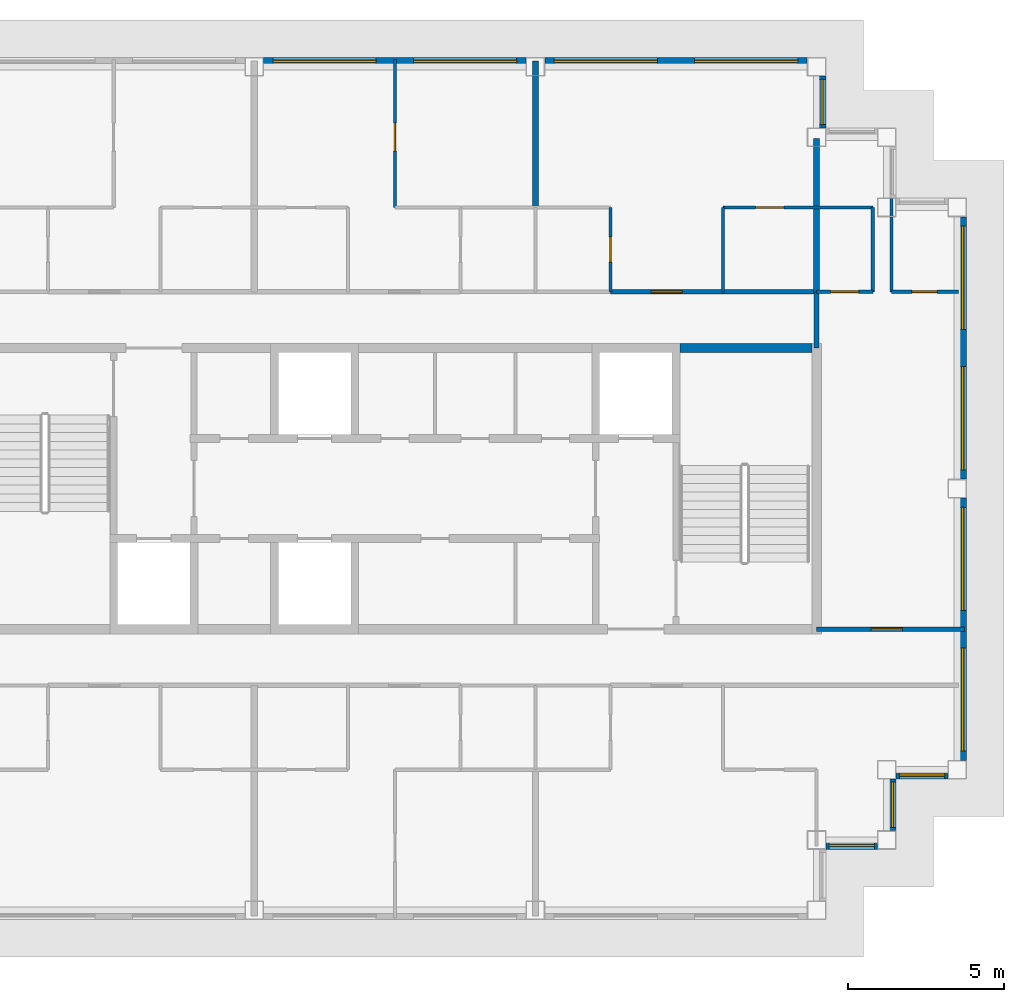
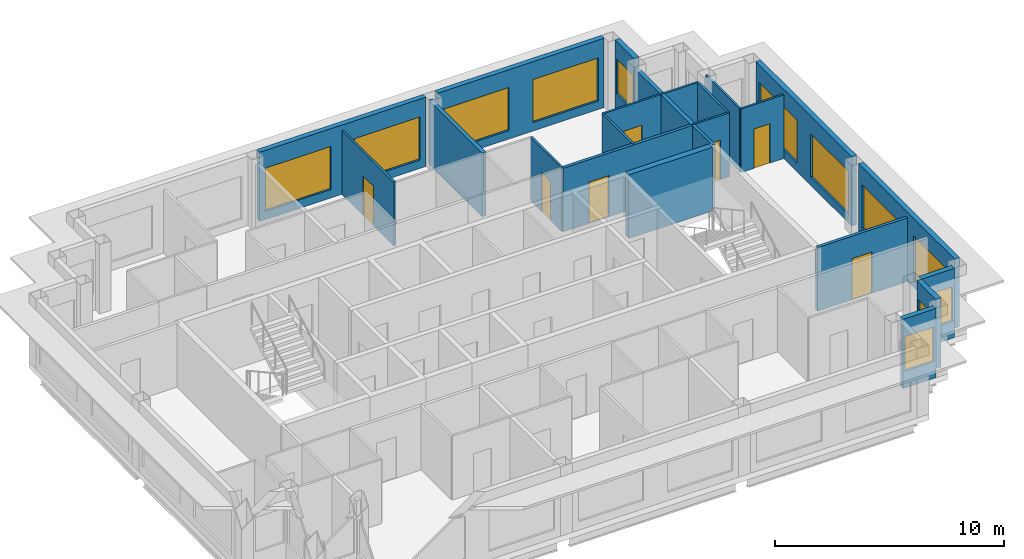
# One storey, part 5 of 11: 22 walls, 12 windows, 7 doors, 19 openings.
"""IFC4 building model written with IfcOpenShell, lengths in metres."""

from ifc_helpers import new_model, si_unit, direction, frame, frame_2d, origin, place, context, subcontext, project, spatial, rectangle, extrude, material, layer, layer_set, type_object, element, fill, save


model = new_model("IFC4")

# Units and contexts
model_context = context("Model", 3, precision=1e-05, world=origin(), true_north=direction((0.0, 1.0)))
body_context = subcontext(model_context, "Body", "Model", "MODEL_VIEW")
ifc_project = project(units=[si_unit("LENGTHUNIT", "METRE"), si_unit("AREAUNIT", "SQUARE_METRE"), si_unit("VOLUMEUNIT", "CUBIC_METRE"), si_unit("PLANEANGLEUNIT", "RADIAN"), si_unit("MASSUNIT", "GRAM", prefix="KILO")], contexts=[model_context])

# Site, building, storey
site_placement = place(None, origin())
site = spatial("IfcSite", under=ifc_project, at=site_placement, CompositionType="ELEMENT")
building_placement = place(site_placement, origin())
building = spatial("IfcBuilding", under=site, at=building_placement, Name="Caravel Reach Hotel and Residences", CompositionType="ELEMENT")
storey_placement = place(building_placement, frame((0.0, 0.0, 298.199951171875)))
storey = spatial("IfcBuildingStorey", under=building, at=storey_placement, Name="L76", CompositionType="ELEMENT", Elevation=298.199951171875)

# Wall, opening, door
ifc_material_1 = material(Name="Gypsum board on steel stud", Category="steel")
ifc_layer_1 = layer(ifc_material_1, 0.10009765625)
ifc_layer_set_1 = layer_set([ifc_layer_1], Name="Bathroom pod wall 100 mm")
wall_type_1 = type_object("IfcWallType", Name="Bathroom pod wall 100 mm", PredefinedType="PARTITIONING", material=ifc_layer_set_1)
wall_1_placement = place(storey_placement, frame((47.39990234375, 33.300048828125, 0.0), z_axis=(0.0, 0.0, 1.0), x_axis=(1.0, 0.0, 0.0)))
wall_1 = element("IfcWall", 1, at=wall_1_placement, inside=storey, type_object=wall_type_1, Name="L76 wall w063", PredefinedType="PARTITIONING", context=body_context, shape_type="SweptSolid", body=[
    extrude(rectangle(XDim=2.150146484375, YDim=0.10009765625, at=frame_2d((1.0751953125, 0.0))), origin(), (0.0, 0.0, 1.0), 3.400146484375),
])
opening_1_placement = place(wall_1_placement, frame((0.64990234375, 0.0, 0.0)))
opening_1 = element("IfcOpeningElement", 2, at=opening_1_placement, cuts=wall_1, Name="Opening D76-043", PredefinedType="OPENING", context=body_context, shape_type="SweptSolid", body=[
    extrude(rectangle(XDim=0.800048828125, YDim=2.10009765625, at=frame_2d((0.39990234375, 1.050048828125))), frame((0.0, 0.06005859375, 0.0), z_axis=(0.0, -1.0, 0.0), x_axis=(1.0, 0.0, 0.0)), (0.0, 0.0, 1.0), 0.1201171875),
])
ifc_material_2 = material(Name="Timber and steel door leaf", Category="steel")
door_type_1 = type_object("IfcDoorType", Name="Bathroom door 800 x 2100", OperationType="SINGLE_SWING_LEFT", PredefinedType="DOOR", material=ifc_material_2)
door_1_placement = place(opening_1_placement, origin())
door_1 = element("IfcDoor", 3, at=door_1_placement, inside=storey, type_object=door_type_1, Name="door D76-043", OperationType="SINGLE_SWING_LEFT", OverallHeight=2.10009765625, OverallWidth=0.800048828125, PredefinedType="DOOR", context=body_context, shape_type="SweptSolid", body=[
    extrude(rectangle(XDim=0.800048828125, YDim=2.10009765625, at=frame_2d((0.39990234375, 1.050048828125))), frame((0.0, 0.02490234375, 0.0), z_axis=(0.0, -1.0, 0.0), x_axis=(1.0, 0.0, 0.0)), (0.0, 0.0, 1.0), 0.050048828125),
])
fill(opening_1, door_1)

wall_2_placement = place(storey_placement, frame((38.39990234375, 33.300048828125, 0.0), z_axis=(0.0, 0.0, 1.0), x_axis=(0.0, 1.0, 0.0)))
wall_2 = element("IfcWall", 4, at=wall_2_placement, inside=storey, type_object=wall_type_1, Name="L76 wall w076", PredefinedType="PARTITIONING", context=body_context, shape_type="SweptSolid", body=[
    extrude(rectangle(XDim=2.699951171875, YDim=0.10009765625, at=frame_2d((1.35009765625, 0.0))), origin(), (0.0, 0.0, 1.0), 3.400146484375),
])
opening_2_placement = place(wall_2_placement, frame((0.949951171875, 0.0, 0.0)))
opening_2 = element("IfcOpeningElement", 5, at=opening_2_placement, cuts=wall_2, Name="Opening D76-027", PredefinedType="OPENING", context=body_context, shape_type="SweptSolid", body=[
    extrude(rectangle(XDim=0.800048828125, YDim=2.10009765625, at=frame_2d((0.39990234375, 1.050048828125))), frame((0.0, 0.06005859375, 0.0), z_axis=(0.0, -1.0, 0.0), x_axis=(1.0, 0.0, 0.0)), (0.0, 0.0, 1.0), 0.1201171875),
])
door_2_placement = place(opening_2_placement, origin())
door_2 = element("IfcDoor", 6, at=door_2_placement, inside=storey, type_object=door_type_1, Name="door D76-027", OperationType="SINGLE_SWING_LEFT", OverallHeight=2.10009765625, OverallWidth=0.800048828125, PredefinedType="DOOR", context=body_context, shape_type="SweptSolid", body=[
    extrude(rectangle(XDim=0.800048828125, YDim=2.10009765625, at=frame_2d((0.39990234375, 1.050048828125))), frame((0.0, 0.02490234375, 0.0), z_axis=(0.0, -1.0, 0.0), x_axis=(1.0, 0.0, 0.0)), (0.0, 0.0, 1.0), 0.050048828125),
])
fill(opening_2, door_2)

# Walls
wall_3_placement = place(storey_placement, frame((47.39990234375, 33.300048828125, 0.0), z_axis=(0.0, 0.0, 1.0), x_axis=(0.0, 1.0, 0.0)))
element("IfcWall", 7, at=wall_3_placement, inside=storey, type_object=wall_type_1, Name="L76 wall w078", PredefinedType="PARTITIONING", context=body_context, shape_type="SweptSolid", body=[
    extrude(rectangle(XDim=3.0, YDim=0.10009765625, at=frame_2d((1.5, 0.0))), origin(), (0.0, 0.0, 1.0), 3.400146484375),
])
ifc_material_3 = material(Name="Concrete C60", Category="concrete")
ifc_layer_2 = layer(ifc_material_3, 0.300048828125)
ifc_layer_set_2 = layer_set([ifc_layer_2], Name="Core wall 300 mm EI 120")
wall_type_2 = type_object("IfcWallType", Name="Core wall 300 mm EI 120", PredefinedType="SHEAR", material=ifc_layer_set_2)
wall_4_placement = place(storey_placement, frame((40.625, 31.5, 0.0), z_axis=(0.0, 0.0, 1.0), x_axis=(1.0, 0.0, 0.0)))
element("IfcWall", 8, at=wall_4_placement, inside=storey, type_object=wall_type_2, Name="L76 core wall N3", PredefinedType="SHEAR", context=body_context, shape_type="SweptSolid", body=[
    extrude(rectangle(XDim=4.22509765625, YDim=0.300048828125, at=frame_2d((2.112548828125, 0.0))), origin(), (0.0, 0.0, 1.0), 3.400146484375),
])

# Wall, opening, door
ifc_material_4 = material(Name="Gypsum board on steel stud, fire-rated", Category="steel")
ifc_layer_3 = layer(ifc_material_4, 0.14990234375)
ifc_layer_set_3 = layer_set([ifc_layer_3], Name="Corridor wall 150 mm EI 60")
wall_type_3 = type_object("IfcWallType", Name="Corridor wall 150 mm EI 60", PredefinedType="PARTITIONING", material=ifc_layer_set_3)
wall_5_placement = place(storey_placement, frame((45.0, 22.5, 0.0), z_axis=(0.0, 0.0, 1.0), x_axis=(1.0, 0.0, 0.0)))
wall_5 = element("IfcWall", 9, at=wall_5_placement, inside=storey, type_object=wall_type_3, Name="L76 wall w008", PredefinedType="PARTITIONING", context=body_context, shape_type="SweptSolid", body=[
    extrude(rectangle(XDim=4.739990234375, YDim=0.14990234375, at=frame_2d((2.3701171875, 0.0))), origin(), (0.0, 0.0, 1.0), 3.400146484375),
])
opening_3_placement = place(wall_5_placement, frame((1.75, 0.0, 0.0)))
opening_3 = element("IfcOpeningElement", 10, at=opening_3_placement, cuts=wall_5, Name="Opening D76-042", PredefinedType="OPENING", context=body_context, shape_type="SweptSolid", body=[
    extrude(rectangle(XDim=1.0, YDim=2.199951171875, at=frame_2d((0.5, 1.10009765625))), frame((0.0, 0.0849609375, 0.0), z_axis=(0.0, -1.0, 0.0), x_axis=(1.0, 0.0, 0.0)), (0.0, 0.0, 1.0), 0.169921875),
])
ifc_material_5 = material(Name="Steel fire door leaf", Category="steel")
door_type_2 = type_object("IfcDoorType", Name="Flat entrance door 1000 x 2200 EI 60", OperationType="SINGLE_SWING_LEFT", PredefinedType="DOOR", material=ifc_material_5)
door_3_placement = place(opening_3_placement, origin())
door_3 = element("IfcDoor", 11, at=door_3_placement, inside=storey, type_object=door_type_2, Name="door D76-042", OperationType="SINGLE_SWING_RIGHT", OverallHeight=2.199951171875, OverallWidth=1.0, PredefinedType="DOOR", context=body_context, shape_type="SweptSolid", body=[
    extrude(rectangle(XDim=1.0, YDim=2.199951171875, at=frame_2d((0.5, 1.10009765625))), frame((0.0, 0.02490234375, 0.0), z_axis=(0.0, -1.0, 0.0), x_axis=(1.0, 0.0, 0.0)), (0.0, 0.0, 1.0), 0.050048828125),
])
fill(opening_3, door_3)

wall_6_placement = place(storey_placement, frame((38.39990234375, 33.300048828125, 0.0), z_axis=(0.0, 0.0, 1.0), x_axis=(1.0, 0.0, 0.0)))
wall_6 = element("IfcWall", 12, at=wall_6_placement, inside=storey, type_object=wall_type_3, Name="L76 wall w015", PredefinedType="PARTITIONING", context=body_context, shape_type="SweptSolid", body=[
    extrude(rectangle(XDim=6.60009765625, YDim=0.14990234375, at=frame_2d((3.300048828125, 0.0))), origin(), (0.0, 0.0, 1.0), 3.400146484375),
])
opening_4_placement = place(wall_6_placement, frame((1.300048828125, 0.0, 0.0)))
opening_4 = element("IfcOpeningElement", 13, at=opening_4_placement, cuts=wall_6, Name="Opening D76-026", PredefinedType="OPENING", context=body_context, shape_type="SweptSolid", body=[
    extrude(rectangle(XDim=1.0, YDim=2.199951171875, at=frame_2d((0.5, 1.10009765625))), frame((0.0, 0.0849609375, 0.0), z_axis=(0.0, -1.0, 0.0), x_axis=(1.0, 0.0, 0.0)), (0.0, 0.0, 1.0), 0.169921875),
])
door_4_placement = place(opening_4_placement, origin())
door_4 = element("IfcDoor", 14, at=door_4_placement, inside=storey, type_object=door_type_2, Name="door D76-026", OperationType="SINGLE_SWING_RIGHT", OverallHeight=2.199951171875, OverallWidth=1.0, PredefinedType="DOOR", context=body_context, shape_type="SweptSolid", body=[
    extrude(rectangle(XDim=1.0, YDim=2.199951171875, at=frame_2d((0.5, 1.10009765625))), frame((0.0, 0.02490234375, 0.0), z_axis=(0.0, -1.0, 0.0), x_axis=(1.0, 0.0, 0.0)), (0.0, 0.0, 1.0), 0.050048828125),
])
fill(opening_4, door_4)

# Wall
wall_7_placement = place(storey_placement, frame((45.0, 31.5, 0.0), z_axis=(0.0, 0.0, 1.0), x_axis=(0.0, 1.0, 0.0)))
element("IfcWall", 15, at=wall_7_placement, inside=storey, type_object=wall_type_3, Name="L76 wall w018", PredefinedType="PARTITIONING", context=body_context, shape_type="SweptSolid", body=[
    extrude(rectangle(XDim=1.800048828125, YDim=0.14990234375, at=frame_2d((0.89990234375, 0.0))), origin(), (0.0, 0.0, 1.0), 3.400146484375),
])

# Wall, opening, window
ifc_material_6 = material(Name="Insulated rainscreen wall, aluminium cladding", Category="aluminium")
ifc_layer_4 = layer(ifc_material_6, 0.25)
ifc_layer_set_4 = layer_set([ifc_layer_4], Name="EW1 Tower rainscreen wall")
wall_type_4 = type_object("IfcWallType", Name="EW1 Tower rainscreen wall", PredefinedType="SOLIDWALL", material=ifc_layer_set_4)
wall_8_placement = place(storey_placement, frame((45.300048828125, 15.574951171875, 0.0), z_axis=(0.0, 0.0, 1.0), x_axis=(1.0, 0.0, 0.0)))
wall_8 = element("IfcWall", 16, at=wall_8_placement, inside=storey, type_object=wall_type_4, Name="External wall L76 S2.1", PredefinedType="SOLIDWALL", context=body_context, shape_type="SweptSolid", body=[
    extrude(rectangle(XDim=1.64990234375, YDim=0.25, at=frame_2d((0.824951171875, 0.0))), origin(), (0.0, 0.0, 1.0), 3.699951171875),
])
opening_5_placement = place(wall_8_placement, frame((0.10009765625, 0.0, 0.89990234375)))
opening_5 = element("IfcOpeningElement", 17, at=opening_5_placement, cuts=wall_8, Name="Opening WN25", PredefinedType="OPENING", context=body_context, shape_type="SweptSolid", body=[
    extrude(rectangle(XDim=1.449951171875, YDim=1.85009765625, at=frame_2d((0.72509765625, 0.925048828125))), frame((0.0, 0.135009765625, 0.0), z_axis=(0.0, -1.0, 0.0), x_axis=(1.0, 0.0, 0.0)), (0.0, 0.0, 1.0), 0.27001953125),
])
ifc_material_7 = material(Name="Dark low-e glazing in black aluminium frame", Category="aluminium")
window_type_1 = type_object("IfcWindowType", Name="Residence bedroom window 1450 x 1850", PartitioningType="SINGLE_PANEL", PredefinedType="WINDOW", material=ifc_material_7)
window_1_placement = place(opening_5_placement, origin())
window_1 = element("IfcWindow", 18, at=window_1_placement, inside=storey, type_object=window_type_1, Name="Window L76 S2.1.1", OverallHeight=1.85009765625, OverallWidth=1.449951171875, PartitioningType="SINGLE_PANEL", PredefinedType="WINDOW", context=body_context, shape_type="SweptSolid", body=[
    extrude(rectangle(XDim=1.449951171875, YDim=1.85009765625, at=frame_2d((0.72509765625, 0.925048828125))), frame((0.0, 0.030029296875, 0.0), z_axis=(0.0, -1.0, 0.0), x_axis=(1.0, 0.0, 0.0)), (0.0, 0.0, 1.0), 0.06005859375),
])
fill(opening_5, window_1)

wall_9_placement = place(storey_placement, frame((47.425048828125, 16.050048828125, 0.0), z_axis=(0.0, 0.0, 1.0), x_axis=(0.0, 1.0, 0.0)))
wall_9 = element("IfcWall", 19, at=wall_9_placement, inside=storey, type_object=wall_type_4, Name="External wall L76 E3.1", PredefinedType="SOLIDWALL", context=body_context, shape_type="SweptSolid", body=[
    extrude(rectangle(XDim=1.64990234375, YDim=0.25, at=frame_2d((0.824951171875, 0.0))), origin(), (0.0, 0.0, 1.0), 3.699951171875),
])
opening_6_placement = place(wall_9_placement, frame((0.10009765625, 0.0, 0.89990234375)))
opening_6 = element("IfcOpeningElement", 20, at=opening_6_placement, cuts=wall_9, Name="Opening WN25", PredefinedType="OPENING", context=body_context, shape_type="SweptSolid", body=[
    extrude(rectangle(XDim=1.449951171875, YDim=1.85009765625, at=frame_2d((0.72509765625, 0.925048828125))), frame((0.0, 0.135009765625, 0.0), z_axis=(0.0, -1.0, 0.0), x_axis=(1.0, 0.0, 0.0)), (0.0, 0.0, 1.0), 0.27001953125),
])
window_2_placement = place(opening_6_placement, origin())
window_2 = element("IfcWindow", 21, at=window_2_placement, inside=storey, type_object=window_type_1, Name="Window L76 E3.1.1", OverallHeight=1.85009765625, OverallWidth=1.449951171875, PartitioningType="SINGLE_PANEL", PredefinedType="WINDOW", context=body_context, shape_type="SweptSolid", body=[
    extrude(rectangle(XDim=1.449951171875, YDim=1.85009765625, at=frame_2d((0.72509765625, 0.925048828125))), frame((0.0, 0.030029296875, 0.0), z_axis=(0.0, -1.0, 0.0), x_axis=(1.0, 0.0, 0.0)), (0.0, 0.0, 1.0), 0.06005859375),
])
fill(opening_6, window_2)

wall_10_placement = place(storey_placement, frame((47.550048828125, 17.824951171875, 0.0), z_axis=(0.0, 0.0, 1.0), x_axis=(1.0, 0.0, 0.0)))
wall_10 = element("IfcWall", 22, at=wall_10_placement, inside=storey, type_object=wall_type_4, Name="External wall L76 S4.1", PredefinedType="SOLIDWALL", context=body_context, shape_type="SweptSolid", body=[
    extrude(rectangle(XDim=1.64990234375, YDim=0.25, at=frame_2d((0.824951171875, 0.0))), origin(), (0.0, 0.0, 1.0), 3.699951171875),
])
opening_7_placement = place(wall_10_placement, frame((0.10009765625, 0.0, 0.89990234375)))
opening_7 = element("IfcOpeningElement", 23, at=opening_7_placement, cuts=wall_10, Name="Opening WN25", PredefinedType="OPENING", context=body_context, shape_type="SweptSolid", body=[
    extrude(rectangle(XDim=1.449951171875, YDim=1.85009765625, at=frame_2d((0.72509765625, 0.925048828125))), frame((0.0, 0.135009765625, 0.0), z_axis=(0.0, -1.0, 0.0), x_axis=(1.0, 0.0, 0.0)), (0.0, 0.0, 1.0), 0.27001953125),
])
window_3_placement = place(opening_7_placement, origin())
window_3 = element("IfcWindow", 24, at=window_3_placement, inside=storey, type_object=window_type_1, Name="Window L76 S4.1.1", OverallHeight=1.85009765625, OverallWidth=1.449951171875, PartitioningType="SINGLE_PANEL", PredefinedType="WINDOW", context=body_context, shape_type="SweptSolid", body=[
    extrude(rectangle(XDim=1.449951171875, YDim=1.85009765625, at=frame_2d((0.72509765625, 0.925048828125))), frame((0.0, 0.030029296875, 0.0), z_axis=(0.0, -1.0, 0.0), x_axis=(1.0, 0.0, 0.0)), (0.0, 0.0, 1.0), 0.06005859375),
])
fill(opening_7, window_3)

# Wall, openings, windows
wall_11_placement = place(storey_placement, frame((49.675048828125, 18.300048828125, 0.0), z_axis=(0.0, 0.0, 1.0), x_axis=(0.0, 1.0, 0.0)))
wall_11 = element("IfcWall", 25, at=wall_11_placement, inside=storey, type_object=wall_type_4, Name="External wall L76 E5.1", PredefinedType="SOLIDWALL", context=body_context, shape_type="SweptSolid", body=[
    extrude(rectangle(XDim=8.39990234375, YDim=0.25, at=frame_2d((4.199951171875, 0.0))), origin(), (0.0, 0.0, 1.0), 3.699951171875),
])
opening_8_placement = place(wall_11_placement, frame((0.300048828125, 0.0, 0.449951171875)))
opening_8 = element("IfcOpeningElement", 26, at=opening_8_placement, cuts=wall_11, Name="Opening WN15", PredefinedType="OPENING", context=body_context, shape_type="SweptSolid", body=[
    extrude(rectangle(XDim=3.300048828125, YDim=2.300048828125, at=frame_2d((1.64990234375, 1.14990234375))), frame((0.0, 0.135009765625, 0.0), z_axis=(0.0, -1.0, 0.0), x_axis=(1.0, 0.0, 0.0)), (0.0, 0.0, 1.0), 0.27001953125),
])
opening_9_placement = place(wall_11_placement, frame((4.800048828125, 0.0, 0.449951171875)))
opening_9 = element("IfcOpeningElement", 27, at=opening_9_placement, cuts=wall_11, Name="Opening WN15", PredefinedType="OPENING", context=body_context, shape_type="SweptSolid", body=[
    extrude(rectangle(XDim=3.300048828125, YDim=2.300048828125, at=frame_2d((1.64990234375, 1.14990234375))), frame((0.0, 0.135009765625, 0.0), z_axis=(0.0, -1.0, 0.0), x_axis=(1.0, 0.0, 0.0)), (0.0, 0.0, 1.0), 0.27001953125),
])
ifc_material_8 = material(Name="Dark low-e glazing in black aluminium frame", Category="aluminium")
window_type_2 = type_object("IfcWindowType", Name="Residence living window 3300 x 2300", PartitioningType="SINGLE_PANEL", PredefinedType="WINDOW", material=ifc_material_8)
window_4_placement = place(opening_8_placement, origin())
window_4 = element("IfcWindow", 28, at=window_4_placement, inside=storey, type_object=window_type_2, Name="Window L76 E5.1.1", OverallHeight=2.300048828125, OverallWidth=3.300048828125, PartitioningType="SINGLE_PANEL", PredefinedType="WINDOW", context=body_context, shape_type="SweptSolid", body=[
    extrude(rectangle(XDim=3.300048828125, YDim=2.300048828125, at=frame_2d((1.64990234375, 1.14990234375))), frame((0.0, 0.030029296875, 0.0), z_axis=(0.0, -1.0, 0.0), x_axis=(1.0, 0.0, 0.0)), (0.0, 0.0, 1.0), 0.06005859375),
])
fill(opening_8, window_4)
window_5_placement = place(opening_9_placement, origin())
window_5 = element("IfcWindow", 29, at=window_5_placement, inside=storey, type_object=window_type_2, Name="Window L76 E5.1.2", OverallHeight=2.300048828125, OverallWidth=3.300048828125, PartitioningType="SINGLE_PANEL", PredefinedType="WINDOW", context=body_context, shape_type="SweptSolid", body=[
    extrude(rectangle(XDim=3.300048828125, YDim=2.300048828125, at=frame_2d((1.64990234375, 1.14990234375))), frame((0.0, 0.030029296875, 0.0), z_axis=(0.0, -1.0, 0.0), x_axis=(1.0, 0.0, 0.0)), (0.0, 0.0, 1.0), 0.06005859375),
])
fill(opening_9, window_5)

wall_12_placement = place(storey_placement, frame((49.675048828125, 27.300048828125, 0.0), z_axis=(0.0, 0.0, 1.0), x_axis=(0.0, 1.0, 0.0)))
wall_12 = element("IfcWall", 30, at=wall_12_placement, inside=storey, type_object=wall_type_4, Name="External wall L76 E5.2", PredefinedType="SOLIDWALL", context=body_context, shape_type="SweptSolid", body=[
    extrude(rectangle(XDim=8.39990234375, YDim=0.25, at=frame_2d((4.199951171875, 0.0))), origin(), (0.0, 0.0, 1.0), 3.699951171875),
])
opening_10_placement = place(wall_12_placement, frame((0.300048828125, 0.0, 0.449951171875)))
opening_10 = element("IfcOpeningElement", 31, at=opening_10_placement, cuts=wall_12, Name="Opening WN15", PredefinedType="OPENING", context=body_context, shape_type="SweptSolid", body=[
    extrude(rectangle(XDim=3.300048828125, YDim=2.300048828125, at=frame_2d((1.64990234375, 1.14990234375))), frame((0.0, 0.135009765625, 0.0), z_axis=(0.0, -1.0, 0.0), x_axis=(1.0, 0.0, 0.0)), (0.0, 0.0, 1.0), 0.27001953125),
])
opening_11_placement = place(wall_12_placement, frame((4.800048828125, 0.0, 0.449951171875)))
opening_11 = element("IfcOpeningElement", 32, at=opening_11_placement, cuts=wall_12, Name="Opening WN15", PredefinedType="OPENING", context=body_context, shape_type="SweptSolid", body=[
    extrude(rectangle(XDim=3.300048828125, YDim=2.300048828125, at=frame_2d((1.64990234375, 1.14990234375))), frame((0.0, 0.135009765625, 0.0), z_axis=(0.0, -1.0, 0.0), x_axis=(1.0, 0.0, 0.0)), (0.0, 0.0, 1.0), 0.27001953125),
])
window_6_placement = place(opening_10_placement, origin())
window_6 = element("IfcWindow", 33, at=window_6_placement, inside=storey, type_object=window_type_2, Name="Window L76 E5.2.1", OverallHeight=2.300048828125, OverallWidth=3.300048828125, PartitioningType="SINGLE_PANEL", PredefinedType="WINDOW", context=body_context, shape_type="SweptSolid", body=[
    extrude(rectangle(XDim=3.300048828125, YDim=2.300048828125, at=frame_2d((1.64990234375, 1.14990234375))), frame((0.0, 0.030029296875, 0.0), z_axis=(0.0, -1.0, 0.0), x_axis=(1.0, 0.0, 0.0)), (0.0, 0.0, 1.0), 0.06005859375),
])
fill(opening_10, window_6)
window_7_placement = place(opening_11_placement, origin())
window_7 = element("IfcWindow", 34, at=window_7_placement, inside=storey, type_object=window_type_2, Name="Window L76 E5.2.2", OverallHeight=2.300048828125, OverallWidth=3.300048828125, PartitioningType="SINGLE_PANEL", PredefinedType="WINDOW", context=body_context, shape_type="SweptSolid", body=[
    extrude(rectangle(XDim=3.300048828125, YDim=2.300048828125, at=frame_2d((1.64990234375, 1.14990234375))), frame((0.0, 0.030029296875, 0.0), z_axis=(0.0, -1.0, 0.0), x_axis=(1.0, 0.0, 0.0)), (0.0, 0.0, 1.0), 0.06005859375),
])
fill(opening_11, window_7)

# Wall, opening, window
wall_13_placement = place(storey_placement, frame((45.175048828125, 38.550048828125, 0.0), z_axis=(0.0, 0.0, 1.0), x_axis=(0.0, 1.0, 0.0)))
wall_13 = element("IfcWall", 35, at=wall_13_placement, inside=storey, type_object=wall_type_4, Name="External wall L76 E9.1", PredefinedType="SOLIDWALL", context=body_context, shape_type="SweptSolid", body=[
    extrude(rectangle(XDim=1.64990234375, YDim=0.25, at=frame_2d((0.824951171875, 0.0))), origin(), (0.0, 0.0, 1.0), 3.699951171875),
])
opening_12_placement = place(wall_13_placement, frame((0.10009765625, 0.0, 0.89990234375)))
opening_12 = element("IfcOpeningElement", 36, at=opening_12_placement, cuts=wall_13, Name="Opening WN25", PredefinedType="OPENING", context=body_context, shape_type="SweptSolid", body=[
    extrude(rectangle(XDim=1.449951171875, YDim=1.85009765625, at=frame_2d((0.72509765625, 0.925048828125))), frame((0.0, 0.135009765625, 0.0), z_axis=(0.0, -1.0, 0.0), x_axis=(1.0, 0.0, 0.0)), (0.0, 0.0, 1.0), 0.27001953125),
])
window_8_placement = place(opening_12_placement, origin())
window_8 = element("IfcWindow", 37, at=window_8_placement, inside=storey, type_object=window_type_1, Name="Window L76 E9.1.1", OverallHeight=1.85009765625, OverallWidth=1.449951171875, PartitioningType="SINGLE_PANEL", PredefinedType="WINDOW", context=body_context, shape_type="SweptSolid", body=[
    extrude(rectangle(XDim=1.449951171875, YDim=1.85009765625, at=frame_2d((0.72509765625, 0.925048828125))), frame((0.0, 0.030029296875, 0.0), z_axis=(0.0, -1.0, 0.0), x_axis=(1.0, 0.0, 0.0)), (0.0, 0.0, 1.0), 0.06005859375),
])
fill(opening_12, window_8)

# Wall, openings, windows
wall_14_placement = place(storey_placement, frame((44.699951171875, 40.675048828125, 0.0), z_axis=(0.0, 0.0, 1.0), x_axis=(-1.0, 0.0, 0.0)))
wall_14 = element("IfcWall", 38, at=wall_14_placement, inside=storey, type_object=wall_type_4, Name="External wall L76 N10.1", PredefinedType="SOLIDWALL", context=body_context, shape_type="SweptSolid", body=[
    extrude(rectangle(XDim=8.39990234375, YDim=0.25, at=frame_2d((4.199951171875, 0.0))), origin(), (0.0, 0.0, 1.0), 3.699951171875),
])
opening_13_placement = place(wall_14_placement, frame((0.300048828125, 0.0, 0.449951171875)))
opening_13 = element("IfcOpeningElement", 39, at=opening_13_placement, cuts=wall_14, Name="Opening WN15", PredefinedType="OPENING", context=body_context, shape_type="SweptSolid", body=[
    extrude(rectangle(XDim=3.300048828125, YDim=2.300048828125, at=frame_2d((1.64990234375, 1.14990234375))), frame((0.0, 0.135009765625, 0.0), z_axis=(0.0, -1.0, 0.0), x_axis=(1.0, 0.0, 0.0)), (0.0, 0.0, 1.0), 0.27001953125),
])
opening_14_placement = place(wall_14_placement, frame((4.800048828125, 0.0, 0.449951171875)))
opening_14 = element("IfcOpeningElement", 40, at=opening_14_placement, cuts=wall_14, Name="Opening WN15", PredefinedType="OPENING", context=body_context, shape_type="SweptSolid", body=[
    extrude(rectangle(XDim=3.300048828125, YDim=2.300048828125, at=frame_2d((1.64990234375, 1.14990234375))), frame((0.0, 0.135009765625, 0.0), z_axis=(0.0, -1.0, 0.0), x_axis=(1.0, 0.0, 0.0)), (0.0, 0.0, 1.0), 0.27001953125),
])
window_9_placement = place(opening_13_placement, origin())
window_9 = element("IfcWindow", 41, at=window_9_placement, inside=storey, type_object=window_type_2, Name="Window L76 N10.1.1", OverallHeight=2.300048828125, OverallWidth=3.300048828125, PartitioningType="SINGLE_PANEL", PredefinedType="WINDOW", context=body_context, shape_type="SweptSolid", body=[
    extrude(rectangle(XDim=3.300048828125, YDim=2.300048828125, at=frame_2d((1.64990234375, 1.14990234375))), frame((0.0, 0.030029296875, 0.0), z_axis=(0.0, -1.0, 0.0), x_axis=(1.0, 0.0, 0.0)), (0.0, 0.0, 1.0), 0.06005859375),
])
fill(opening_13, window_9)
window_10_placement = place(opening_14_placement, origin())
window_10 = element("IfcWindow", 42, at=window_10_placement, inside=storey, type_object=window_type_2, Name="Window L76 N10.1.2", OverallHeight=2.300048828125, OverallWidth=3.300048828125, PartitioningType="SINGLE_PANEL", PredefinedType="WINDOW", context=body_context, shape_type="SweptSolid", body=[
    extrude(rectangle(XDim=3.300048828125, YDim=2.300048828125, at=frame_2d((1.64990234375, 1.14990234375))), frame((0.0, 0.030029296875, 0.0), z_axis=(0.0, -1.0, 0.0), x_axis=(1.0, 0.0, 0.0)), (0.0, 0.0, 1.0), 0.06005859375),
])
fill(opening_14, window_10)

wall_15_placement = place(storey_placement, frame((35.699951171875, 40.675048828125, 0.0), z_axis=(0.0, 0.0, 1.0), x_axis=(-1.0, 0.0, 0.0)))
wall_15 = element("IfcWall", 43, at=wall_15_placement, inside=storey, type_object=wall_type_4, Name="External wall L76 N10.2", PredefinedType="SOLIDWALL", context=body_context, shape_type="SweptSolid", body=[
    extrude(rectangle(XDim=8.39990234375, YDim=0.25, at=frame_2d((4.199951171875, 0.0))), origin(), (0.0, 0.0, 1.0), 3.699951171875),
])
opening_15_placement = place(wall_15_placement, frame((0.300048828125, 0.0, 0.449951171875)))
opening_15 = element("IfcOpeningElement", 44, at=opening_15_placement, cuts=wall_15, Name="Opening WN15", PredefinedType="OPENING", context=body_context, shape_type="SweptSolid", body=[
    extrude(rectangle(XDim=3.300048828125, YDim=2.300048828125, at=frame_2d((1.64990234375, 1.14990234375))), frame((0.0, 0.135009765625, 0.0), z_axis=(0.0, -1.0, 0.0), x_axis=(1.0, 0.0, 0.0)), (0.0, 0.0, 1.0), 0.27001953125),
])
opening_16_placement = place(wall_15_placement, frame((4.800048828125, 0.0, 0.449951171875)))
opening_16 = element("IfcOpeningElement", 45, at=opening_16_placement, cuts=wall_15, Name="Opening WN15", PredefinedType="OPENING", context=body_context, shape_type="SweptSolid", body=[
    extrude(rectangle(XDim=3.300048828125, YDim=2.300048828125, at=frame_2d((1.64990234375, 1.14990234375))), frame((0.0, 0.135009765625, 0.0), z_axis=(0.0, -1.0, 0.0), x_axis=(1.0, 0.0, 0.0)), (0.0, 0.0, 1.0), 0.27001953125),
])
window_11_placement = place(opening_15_placement, origin())
window_11 = element("IfcWindow", 46, at=window_11_placement, inside=storey, type_object=window_type_2, Name="Window L76 N10.2.1", OverallHeight=2.300048828125, OverallWidth=3.300048828125, PartitioningType="SINGLE_PANEL", PredefinedType="WINDOW", context=body_context, shape_type="SweptSolid", body=[
    extrude(rectangle(XDim=3.300048828125, YDim=2.300048828125, at=frame_2d((1.64990234375, 1.14990234375))), frame((0.0, 0.030029296875, 0.0), z_axis=(0.0, -1.0, 0.0), x_axis=(1.0, 0.0, 0.0)), (0.0, 0.0, 1.0), 0.06005859375),
])
fill(opening_15, window_11)
window_12_placement = place(opening_16_placement, origin())
window_12 = element("IfcWindow", 47, at=window_12_placement, inside=storey, type_object=window_type_2, Name="Window L76 N10.2.2", OverallHeight=2.300048828125, OverallWidth=3.300048828125, PartitioningType="SINGLE_PANEL", PredefinedType="WINDOW", context=body_context, shape_type="SweptSolid", body=[
    extrude(rectangle(XDim=3.300048828125, YDim=2.300048828125, at=frame_2d((1.64990234375, 1.14990234375))), frame((0.0, 0.030029296875, 0.0), z_axis=(0.0, -1.0, 0.0), x_axis=(1.0, 0.0, 0.0)), (0.0, 0.0, 1.0), 0.06005859375),
])
fill(opening_16, window_12)

# Wall, opening, door
ifc_material_9 = material(Name="Gypsum board on steel stud", Category="steel")
ifc_layer_5 = layer(ifc_material_9, 0.10009765625)
ifc_layer_set_5 = layer_set([ifc_layer_5], Name="Partition 100 mm")
wall_type_5 = type_object("IfcWallType", Name="Partition 100 mm", PredefinedType="PARTITIONING", material=ifc_layer_set_5)
wall_16_placement = place(storey_placement, frame((45.0, 33.300048828125, 0.0), z_axis=(0.0, 0.0, 1.0), x_axis=(1.0, 0.0, 0.0)))
wall_16 = element("IfcWall", 48, at=wall_16_placement, inside=storey, type_object=wall_type_5, Name="L76 wall w025", PredefinedType="PARTITIONING", context=body_context, shape_type="SweptSolid", body=[
    extrude(rectangle(XDim=1.800048828125, YDim=0.10009765625, at=frame_2d((0.89990234375, 0.0))), origin(), (0.0, 0.0, 1.0), 3.400146484375),
])
opening_17_placement = place(wall_16_placement, frame((0.449951171875, 0.0, 0.0)))
opening_17 = element("IfcOpeningElement", 49, at=opening_17_placement, cuts=wall_16, Name="Opening D76-044", PredefinedType="OPENING", context=body_context, shape_type="SweptSolid", body=[
    extrude(rectangle(XDim=0.89990234375, YDim=2.10009765625, at=frame_2d((0.449951171875, 1.050048828125))), frame((0.0, 0.06005859375, 0.0), z_axis=(0.0, -1.0, 0.0), x_axis=(1.0, 0.0, 0.0)), (0.0, 0.0, 1.0), 0.1201171875),
])
ifc_material_10 = material(Name="Timber and steel door leaf", Category="steel")
door_type_3 = type_object("IfcDoorType", Name="Door 900 x 2100 timber", OperationType="SINGLE_SWING_LEFT", PredefinedType="DOOR", material=ifc_material_10)
door_5_placement = place(opening_17_placement, origin())
door_5 = element("IfcDoor", 50, at=door_5_placement, inside=storey, type_object=door_type_3, Name="door D76-044", OperationType="SINGLE_SWING_RIGHT", OverallHeight=2.10009765625, OverallWidth=0.89990234375, PredefinedType="DOOR", context=body_context, shape_type="SweptSolid", body=[
    extrude(rectangle(XDim=0.89990234375, YDim=2.10009765625, at=frame_2d((0.449951171875, 1.050048828125))), frame((0.0, 0.02490234375, 0.0), z_axis=(0.0, -1.0, 0.0), x_axis=(1.0, 0.0, 0.0)), (0.0, 0.0, 1.0), 0.050048828125),
])
fill(opening_17, door_5)

wall_17_placement = place(storey_placement, frame((42.0, 36.0, 0.0), z_axis=(0.0, 0.0, 1.0), x_axis=(1.0, 0.0, 0.0)))
wall_17 = element("IfcWall", 51, at=wall_17_placement, inside=storey, type_object=wall_type_5, Name="L76 wall w030", PredefinedType="PARTITIONING", context=body_context, shape_type="SweptSolid", body=[
    extrude(rectangle(XDim=4.800048828125, YDim=0.10009765625, at=frame_2d((2.39990234375, 0.0))), origin(), (0.0, 0.0, 1.0), 3.400146484375),
])
opening_18_placement = place(wall_17_placement, frame((1.050048828125, 0.0, 0.0)))
opening_18 = element("IfcOpeningElement", 52, at=opening_18_placement, cuts=wall_17, Name="Opening D76-028", PredefinedType="OPENING", context=body_context, shape_type="SweptSolid", body=[
    extrude(rectangle(XDim=0.89990234375, YDim=2.10009765625, at=frame_2d((0.449951171875, 1.050048828125))), frame((0.0, 0.06005859375, 0.0), z_axis=(0.0, -1.0, 0.0), x_axis=(1.0, 0.0, 0.0)), (0.0, 0.0, 1.0), 0.1201171875),
])
door_6_placement = place(opening_18_placement, origin())
door_6 = element("IfcDoor", 53, at=door_6_placement, inside=storey, type_object=door_type_3, Name="door D76-028", OperationType="SINGLE_SWING_RIGHT", OverallHeight=2.10009765625, OverallWidth=0.89990234375, PredefinedType="DOOR", context=body_context, shape_type="SweptSolid", body=[
    extrude(rectangle(XDim=0.89990234375, YDim=2.10009765625, at=frame_2d((0.449951171875, 1.050048828125))), frame((0.0, 0.02490234375, 0.0), z_axis=(0.0, -1.0, 0.0), x_axis=(1.0, 0.0, 0.0)), (0.0, 0.0, 1.0), 0.050048828125),
])
fill(opening_18, door_6)

wall_18_placement = place(storey_placement, frame((31.5, 36.0, 0.0), z_axis=(0.0, 0.0, 1.0), x_axis=(0.0, 1.0, 0.0)))
wall_18 = element("IfcWall", 54, at=wall_18_placement, inside=storey, type_object=wall_type_5, Name="L76 wall w038", PredefinedType="PARTITIONING", context=body_context, shape_type="SweptSolid", body=[
    extrude(rectangle(XDim=4.739990234375, YDim=0.10009765625, at=frame_2d((2.3701171875, 0.0))), origin(), (0.0, 0.0, 1.0), 3.400146484375),
])
opening_19_placement = place(wall_18_placement, frame((1.800048828125, 0.0, 0.0)))
opening_19 = element("IfcOpeningElement", 55, at=opening_19_placement, cuts=wall_18, Name="Opening D76-025", PredefinedType="OPENING", context=body_context, shape_type="SweptSolid", body=[
    extrude(rectangle(XDim=0.89990234375, YDim=2.10009765625, at=frame_2d((0.449951171875, 1.050048828125))), frame((0.0, 0.06005859375, 0.0), z_axis=(0.0, -1.0, 0.0), x_axis=(1.0, 0.0, 0.0)), (0.0, 0.0, 1.0), 0.1201171875),
])
door_7_placement = place(opening_19_placement, origin())
door_7 = element("IfcDoor", 56, at=door_7_placement, inside=storey, type_object=door_type_3, Name="door D76-025", OperationType="SINGLE_SWING_RIGHT", OverallHeight=2.10009765625, OverallWidth=0.89990234375, PredefinedType="DOOR", context=body_context, shape_type="SweptSolid", body=[
    extrude(rectangle(XDim=0.89990234375, YDim=2.10009765625, at=frame_2d((0.449951171875, 1.050048828125))), frame((0.0, 0.02490234375, 0.0), z_axis=(0.0, -1.0, 0.0), x_axis=(1.0, 0.0, 0.0)), (0.0, 0.0, 1.0), 0.050048828125),
])
fill(opening_19, door_7)

# Walls
for number, where, z_axis, x_axis, name in (
    (57, (42.0, 33.300048828125, 0.0), (0.0, 0.0, 1.0), (0.0, 1.0, 0.0), "L76 wall w040"),
    (58, (46.800048828125, 33.300048828125, 0.0), (0.0, 0.0, 1.0), (0.0, 1.0, 0.0), "L76 wall w043"),
):
    element("IfcWall", number, at=place(storey_placement, frame(where, z_axis=z_axis, x_axis=x_axis)), inside=storey, type_object=wall_type_5, Name=name, PredefinedType="PARTITIONING", context=body_context, shape_type="SweptSolid", body=[
        extrude(rectangle(XDim=2.699951171875, YDim=0.10009765625, at=frame_2d((1.35009765625, 0.0))), origin(), (0.0, 0.0, 1.0), 3.400146484375),
    ])
ifc_material_11 = material(Name="Autoclaved aerated block wall")
ifc_layer_6 = layer(ifc_material_11, 0.199951171875)
ifc_layer_set_6 = layer_set([ifc_layer_6], Name="Party wall 200 mm EI 60")
wall_type_6 = type_object("IfcWallType", Name="Party wall 200 mm EI 60", PredefinedType="PARTITIONING", material=ifc_layer_set_6)
wall_19_placement = place(storey_placement, frame((36.0, 36.0, 0.0), z_axis=(0.0, 0.0, 1.0), x_axis=(0.0, 1.0, 0.0)))
element("IfcWall", 59, at=wall_19_placement, inside=storey, type_object=wall_type_6, Name="L76 wall w049", PredefinedType="PARTITIONING", context=body_context, shape_type="SweptSolid", body=[
    extrude(rectangle(XDim=4.68994140625, YDim=0.199951171875, at=frame_2d((2.344970703125, 0.0))), origin(), (0.0, 0.0, 1.0), 3.400146484375),
])
wall_20_placement = place(storey_placement, frame((45.0, 33.300048828125, 0.0), z_axis=(0.0, 0.0, 1.0), x_axis=(0.0, 1.0, 0.0)))
element("IfcWall", 60, at=wall_20_placement, inside=storey, type_object=wall_type_6, Name="L76 wall w052", PredefinedType="PARTITIONING", context=body_context, shape_type="SweptSolid", body=[
    extrude(rectangle(XDim=4.89990234375, YDim=0.199951171875, at=frame_2d((2.449951171875, 0.0))), origin(), (0.0, 0.0, 1.0), 3.400146484375),
])

save(model, "model.ifc")
